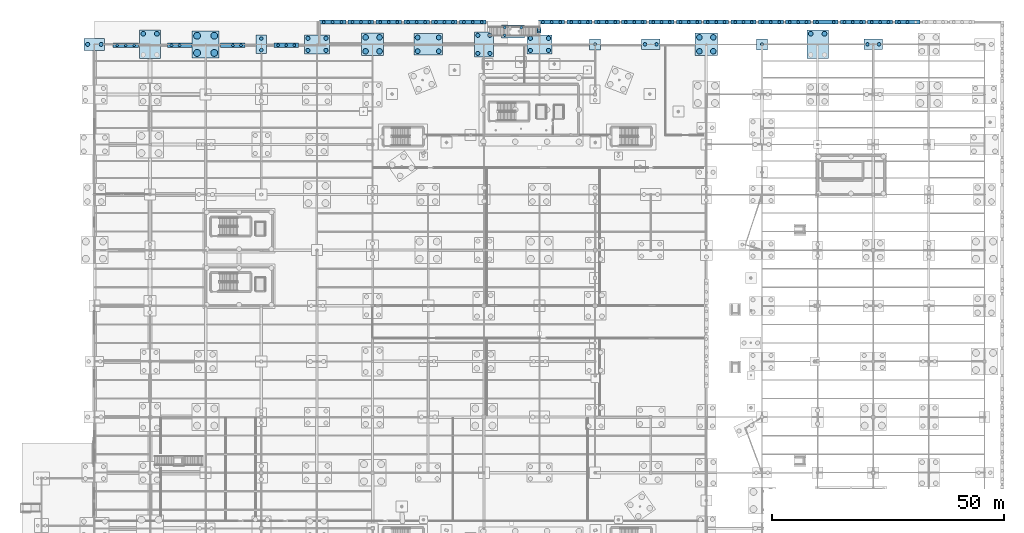
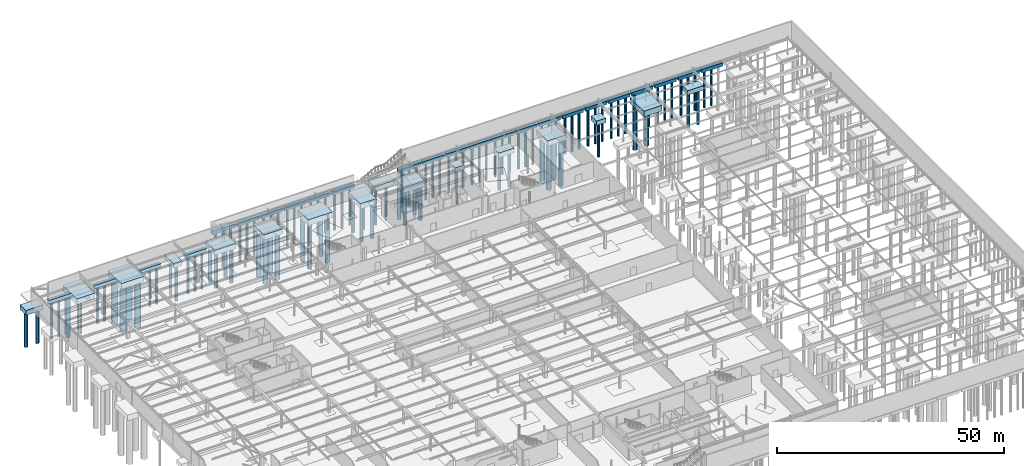
# One storey, part 9 of 136: 114 piles, 41 footings.
"""IFC4 building model written with IfcOpenShell, lengths in metres."""

import ifcopenshell
import ifcopenshell.guid

model = None  # the IFC model being written
_history = None  # IfcOwnerHistory: only IFC2X3 demands one
_inside = {}  # id of a spatial element -> (the spatial element, [elements in it])
_under = {}  # id of a project, library or spatial element -> (it, [spatial elements below it])
_declared = {}  # id of a project -> (the project, [libraries it declares])
_typed = {}  # id of a type object -> (the type object, [elements of that type])
_made_of = {}  # id of a material, layer set ... -> (it, [elements and type objects made of it])


def new_model(schema):
    """Start an empty IFC model of exactly this schema.

    Asked for "IFC4X3", IfcOpenShell would pick the latest addendum, in which some entities
    have other attributes; the version numbers below select the first issue.
    IFC2X3 requires an IfcOwnerHistory on every rooted entity: one is made here for all.
    """
    global model, _history
    if schema == "IFC4X3":
        model = ifcopenshell.file(schema_version=(4, 3, 0, 0))
    else:
        model = ifcopenshell.file(schema=schema)
    _inside.clear()
    _under.clear()
    _declared.clear()
    _typed.clear()
    _made_of.clear()
    _history = None
    if model.schema == "IFC2X3":
        org = make("IfcOrganization", Name="unknown")
        user = make(
            "IfcPersonAndOrganization",
            ThePerson=make("IfcPerson", FamilyName="unknown"),
            TheOrganization=org,
        )
        app = make(
            "IfcApplication",
            ApplicationDeveloper=org,
            Version="unknown",
            ApplicationFullName="unknown",
            ApplicationIdentifier="unknown",
        )
        _history = make(
            "IfcOwnerHistory",
            OwningUser=user,
            OwningApplication=app,
            ChangeAction="ADDED",
            CreationDate=0,
        )
    return model


def make(cls, **values):
    """One entity of the class cls with the attributes given. An attribute that is None is left unset."""
    return model.create_entity(
        cls, **{name: value for name, value in values.items() if value is not None}
    )


def rooted(cls, **values):
    """An entity with a GlobalId (a new one), such as an element, a storey or a relation."""
    return make(cls, GlobalId=ifcopenshell.guid.new(), OwnerHistory=_history, **values)


def si_unit(unit_type, name, prefix=None):
    """IfcSIUnit, for example si_unit("LENGTHUNIT", "METRE", prefix="MILLI")."""
    return make("IfcSIUnit", UnitType=unit_type, Prefix=prefix, Name=name)


def assignment(units):
    """IfcUnitAssignment: the units of a project."""
    return None if units is None else make("IfcUnitAssignment", Units=units)


def point(xyz):
    """IfcCartesianPoint."""
    return None if xyz is None else make("IfcCartesianPoint", Coordinates=xyz)


def direction(xyz):
    """IfcDirection."""
    return None if xyz is None else make("IfcDirection", DirectionRatios=xyz)


def frame(location, z_axis=None, x_axis=None):
    """IfcAxis2Placement3D, a coordinate frame: its origin and axes. An axis left out is left unset."""
    return make(
        "IfcAxis2Placement3D",
        Location=point(location),
        Axis=direction(z_axis),
        RefDirection=direction(x_axis),
    )


def frame_2d(location, x_axis=None):
    """IfcAxis2Placement2D, a coordinate frame in the plane: its origin and x axis."""
    return make(
        "IfcAxis2Placement2D", Location=point(location), RefDirection=direction(x_axis)
    )


def origin():
    """The frame at (0, 0, 0) with its axes left unset."""
    return frame((0.0, 0.0, 0.0))


def origin_2d():
    """The frame at (0, 0) in the plane with its x axis left unset."""
    return frame_2d((0.0, 0.0))


def place(relative_to, where):
    """IfcLocalPlacement: puts the frame where relative to a parent placement (None: the world)."""
    return make(
        "IfcLocalPlacement", PlacementRelTo=relative_to, RelativePlacement=where
    )


def context(
    kind, dimensions, precision=None, world=None, true_north=None, identifier=None
):
    """IfcGeometricRepresentationContext, for example the 3D "Model" context."""
    return make(
        "IfcGeometricRepresentationContext",
        ContextIdentifier=identifier,
        ContextType=kind,
        CoordinateSpaceDimension=dimensions,
        Precision=precision,
        WorldCoordinateSystem=world,
        TrueNorth=true_north,
    )


def subcontext(parent, identifier, kind, view, scale=None):
    """IfcGeometricRepresentationSubContext, for example "Body" below "Model"."""
    return make(
        "IfcGeometricRepresentationSubContext",
        ContextIdentifier=identifier,
        ContextType=kind,
        ParentContext=parent,
        TargetScale=scale,
        TargetView=view,
    )


def project(units=None, contexts=None):
    """IfcProject with its units and contexts."""
    return rooted(
        "IfcProject",
        Name="project",
        RepresentationContexts=contexts,
        UnitsInContext=assignment(units),
    )


def spatial(cls, under=None, at=None, **own):
    """A site, building, storey or space (cls), placed at a placement, below another one or the project."""
    s = rooted(cls, ObjectPlacement=at, **own)
    if under is not None:
        _under.setdefault(under.id(), (under, []))[1].append(s)
    return s


def profile(cls, at=None, kind="AREA", **sizes):
    """A parametric profile (cls). Its sizes go by their IFC names, for example OverallWidth=200.0."""
    return make(cls, ProfileType=kind, Position=at, **sizes)


def rectangle(**sizes):
    """IfcRectangleProfileDef."""
    return profile("IfcRectangleProfileDef", **sizes)


def circle(**sizes):
    """IfcCircleProfileDef."""
    return profile("IfcCircleProfileDef", **sizes)


def extrude(swept, where, along, depth):
    """IfcExtrudedAreaSolid: the profile swept, set in the frame where, extruded along a direction by depth."""
    return make(
        "IfcExtrudedAreaSolid",
        SweptArea=swept,
        Position=where,
        ExtrudedDirection=direction(along),
        Depth=depth,
    )


def shape(context_of_items, identifier, shape_type, items):
    """IfcShapeRepresentation: the items that make up one representation, for example the "Body"."""
    return make(
        "IfcShapeRepresentation",
        ContextOfItems=context_of_items,
        RepresentationIdentifier=identifier,
        RepresentationType=shape_type,
        Items=items,
    )


def material(Name=None, Category=None):
    """IfcMaterial."""
    return make("IfcMaterial", Name=Name, Category=Category)


def material_profile(
    of_material, cross_section, Name=None, Category=None, Priority=None
):
    """IfcMaterialProfile: a cross section and its material."""
    return make(
        "IfcMaterialProfile",
        Name=Name,
        Material=of_material,
        Profile=cross_section,
        Priority=Priority,
        Category=Category,
    )


def profile_set(profiles, Name=None, composite=None):
    """IfcMaterialProfileSet."""
    return make(
        "IfcMaterialProfileSet",
        Name=Name,
        MaterialProfiles=profiles,
        CompositeProfile=composite,
    )


def made_of(thing, what):
    """Note that an element or type object is made of a material, layer set ...; save() writes the relation."""
    if what is not None:
        _made_of.setdefault(what.id(), (what, []))[1].append(thing)
    return thing


def type_object(cls, material=None, **own):
    """A type object (cls), such as IfcWallType, which elements share."""
    return made_of(rooted(cls, **own), material)


def element(
    cls,
    number,
    at=None,
    inside=None,
    cuts=None,
    type_object=None,
    material=None,
    context=None,
    identifier="Body",
    shape_type=None,
    held_by="IfcProductDefinitionShape",
    body=None,
    shapes=None,
    **own,
):
    """One element of the class cls, such as IfcWall. Its Tag is "e" and its number.

    at: its placement. inside: the storey or other place that contains it. cuts: it is an
    opening in that element (IfcRelVoidsElement). A single representation is given by context,
    identifier, shape_type and body (its items); several are given by shapes. held_by: the class
    of the entity that holds the representations. save() writes the other relations.
    """
    e = rooted(cls, Tag="e%d" % number, ObjectPlacement=at, **own)
    if body is not None:
        shapes = [shape(context, identifier, shape_type, body)]
    if shapes is not None:
        e.Representation = make(held_by, Representations=shapes)
    if inside is not None:
        _inside.setdefault(inside.id(), (inside, []))[1].append(e)
    if cuts is not None:
        rooted(
            "IfcRelVoidsElement", RelatingBuildingElement=cuts, RelatedOpeningElement=e
        )
    if type_object is not None:
        _typed.setdefault(type_object.id(), (type_object, []))[1].append(e)
    return made_of(e, material)


def aggregate(whole, parts):
    """IfcRelAggregates: a whole, such as a stair, and the parts it consists of."""
    return rooted("IfcRelAggregates", RelatingObject=whole, RelatedObjects=parts)


def save(model, path):
    """Write the relations noted so far, then the file.

    IfcRelAggregates (storeys below a building ...), IfcRelContainedInSpatialStructure (elements
    in a storey), IfcRelDefinesByType, IfcRelAssociatesMaterial and IfcRelDeclares: one each for
    every whole, place, type object, material and project.
    """
    for whole, parts in _under.values():
        aggregate(whole, parts)
    for where, things in _inside.values():
        rooted(
            "IfcRelContainedInSpatialStructure",
            RelatedElements=things,
            RelatingStructure=where,
        )
    for kind, things in _typed.values():
        rooted("IfcRelDefinesByType", RelatedObjects=things, RelatingType=kind)
    for what, things in _made_of.values():
        rooted("IfcRelAssociatesMaterial", RelatedObjects=things, RelatingMaterial=what)
    for by, libraries in _declared.values():
        rooted("IfcRelDeclares", RelatingContext=by, RelatedDefinitions=libraries)
    model.write(path)


model = new_model("IFC4")

# Units and contexts
model_context = context("Model", 3, precision=1e-05, world=origin(), true_north=direction((0.0, 1.0)))
body_context = subcontext(model_context, "Body", "Model", "MODEL_VIEW")
ifc_project = project(units=[si_unit("LENGTHUNIT", "METRE"), si_unit("AREAUNIT", "SQUARE_METRE"), si_unit("VOLUMEUNIT", "CUBIC_METRE"), si_unit("PLANEANGLEUNIT", "RADIAN"), si_unit("MASSUNIT", "GRAM", prefix="KILO")], contexts=[model_context])

# Site, building, storey
site_placement = place(None, origin())
site = spatial("IfcSite", under=ifc_project, at=site_placement, CompositionType="ELEMENT")
building_placement = place(site_placement, origin())
building = spatial("IfcBuilding", under=site, at=building_placement, Name="Tarnwether General Hospital", CompositionType="ELEMENT")
storey_placement = place(building_placement, frame((0.0, 0.0, -4.800048828125)))
storey = spatial("IfcBuildingStorey", under=building, at=storey_placement, Name="LG", CompositionType="ELEMENT", Elevation=-4.800048828125)

# Footings
ifc_material_1 = material(Name="Concrete 40 MPa", Category="concrete")
footing_type_1 = type_object("IfcFootingType", Name="FT-PC1", PredefinedType="PILE_CAP", material=ifc_material_1)
for number, where, z_axis, x_axis, name in (
    (1, (108.0, 126.0, -1.19970703125), (0.0, 0.0, 1.0), (0.0, 1.0, 0.0), "Pile Cap FT-CAP-0112"),
    (2, (144.0, 126.0, -1.19970703125), (0.0, 0.0, 1.0), (1.0, 0.0, 0.0), "Pile Cap FT-CAP-0140"),
):
    element("IfcFooting", number, at=place(storey_placement, frame(where, z_axis=z_axis, x_axis=x_axis)), inside=storey, type_object=footing_type_1, Name=name, PredefinedType="PILE_CAP", context=body_context, shape_type="SweptSolid", body=[
        extrude(rectangle(XDim=2.39990234375, YDim=2.39990234375, at=origin_2d()), origin(), (0.0, 0.0, 1.0), 1.199951171875),
    ])
ifc_material_2 = material(Name="Concrete 40 MPa", Category="concrete")
footing_type_2 = type_object("IfcFootingType", Name="FT-PC11", PredefinedType="PILE_CAP", material=ifc_material_2)
footing_1_placement = place(storey_placement, frame((90.300048828125, 128.800048828125, -1.19970703125), z_axis=(0.0, 0.0, 1.0), x_axis=(1.0, 0.0, 0.0)))
element("IfcFooting", 3, at=footing_1_placement, inside=storey, type_object=footing_type_2, Name="Combined Scarp Stair Pile Cap SCRP-N", PredefinedType="PILE_CAP", context=body_context, shape_type="SweptSolid", body=[
    extrude(rectangle(XDim=5.0, YDim=2.800048828125, at=origin_2d()), origin(), (0.0, 0.0, 1.0), 1.199951171875),
])
ifc_material_3 = material(Name="Concrete 40 MPa", Category="concrete")
footing_type_3 = type_object("IfcFootingType", Name="FT-PC2", PredefinedType="PILE_CAP", material=ifc_material_3)
for number, where, z_axis, x_axis, name in (
    (4, (36.0, 126.0, -1.19970703125), (0.0, 0.0, 1.0), (0.0, 1.0, 0.0), "Pile Cap FT-CAP-0054"),
    (5, (120.0, 126.0, -1.19970703125), (0.0, 0.0, 1.0), (1.0, 0.0, 0.0), "Pile Cap FT-CAP-0118"),
    (6, (168.0, 126.0, -1.19970703125), (0.0, 0.0, 1.0), (1.0, 0.0, 0.0), "Pile Cap FT-CAP-0158"),
):
    element("IfcFooting", number, at=place(storey_placement, frame(where, z_axis=z_axis, x_axis=x_axis)), inside=storey, type_object=footing_type_3, Name=name, PredefinedType="PILE_CAP", context=body_context, shape_type="SweptSolid", body=[
        extrude(rectangle(XDim=4.0, YDim=2.199951171875, at=origin_2d()), origin(), (0.0, 0.0, 1.0), 1.199951171875),
    ])
ifc_material_4 = material(Name="Concrete 40 MPa", Category="concrete")
footing_type_4 = type_object("IfcFootingType", Name="FT-PC3", PredefinedType="PILE_CAP", material=ifc_material_4)
footing_2_placement = place(storey_placement, frame((0.0, 126.0, -1.2998046875), z_axis=(0.0, 0.0, 1.0), x_axis=(1.0, 0.0, 0.0)))
element("IfcFooting", 7, at=footing_2_placement, inside=storey, type_object=footing_type_4, Name="Pile Cap FT-CAP-0022", PredefinedType="PILE_CAP", context=body_context, shape_type="SweptSolid", body=[
    extrude(rectangle(XDim=4.39990234375, YDim=2.60009765625, at=origin_2d()), origin(), (0.0, 0.0, 1.0), 1.300048828125),
])
ifc_material_5 = material(Name="Concrete 40 MPa", Category="concrete")
footing_type_5 = type_object("IfcFootingType", Name="FT-PC4", PredefinedType="PILE_CAP", material=ifc_material_5)
for number, where, z_axis, x_axis, name in (
    (8, (60.0, 126.0, -1.39990234375), (0.0, 0.0, 1.0), (0.0, 1.0, 0.0), "Pile Cap FT-CAP-0078"),
    (9, (132.0, 126.0, -1.39990234375), (0.0, 0.0, 1.0), (0.0, 1.0, 0.0), "Pile Cap FT-CAP-0128"),
):
    element("IfcFooting", number, at=place(storey_placement, frame(where, z_axis=z_axis, x_axis=x_axis)), inside=storey, type_object=footing_type_5, Name=name, PredefinedType="PILE_CAP", context=body_context, shape_type="SweptSolid", body=[
        extrude(rectangle(XDim=4.800048828125, YDim=4.800048828125, at=origin_2d()), origin(), (0.0, 0.0, 1.0), 1.39990234375),
    ])
ifc_material_6 = material(Name="Concrete 40 MPa", Category="concrete")
footing_type_6 = type_object("IfcFootingType", Name="FT-PC5", PredefinedType="PILE_CAP", material=ifc_material_6)
footing_3_placement = place(storey_placement, frame((24.0, 126.0, -1.5), z_axis=(0.0, 0.0, 1.0), x_axis=(1.0, 0.0, 0.0)))
element("IfcFooting", 10, at=footing_3_placement, inside=storey, type_object=footing_type_6, Name="Pile Cap FT-CAP-0044", PredefinedType="PILE_CAP", context=body_context, shape_type="SweptSolid", body=[
    extrude(rectangle(XDim=5.800048828125, YDim=5.800048828125, at=origin_2d()), origin(), (0.0, 0.0, 1.0), 1.5),
])
ifc_material_7 = material(Name="Concrete 40 MPa", Category="concrete")
footing_type_7 = type_object("IfcFootingType", Name="FT-PC6", PredefinedType="PILE_CAP", material=ifc_material_7)
for number, where, z_axis, x_axis, name in (
    (11, (48.0, 126.0, -1.44970703125), (0.0, 0.0, 1.0), (1.0, 0.0, 0.0), "Pile Cap FT-CAP-0066"),
    (12, (84.0, 126.0, -1.44970703125), (0.0, 0.0, 1.0), (0.0, 1.0, 0.0), "Pile Cap FT-CAP-0094"),
    (13, (96.0, 126.0, -1.44970703125), (0.0, 0.0, 1.0), (1.0, 0.0, 0.0), "Pile Cap FT-CAP-0102"),
):
    element("IfcFooting", number, at=place(storey_placement, frame(where, z_axis=z_axis, x_axis=x_axis)), inside=storey, type_object=footing_type_7, Name=name, PredefinedType="PILE_CAP", context=body_context, shape_type="SweptSolid", body=[
        extrude(rectangle(XDim=5.39990234375, YDim=4.10009765625, at=origin_2d()), origin(), (0.0, 0.0, 1.0), 1.449951171875),
    ])
ifc_material_8 = material(Name="Concrete 40 MPa", Category="concrete")
footing_type_8 = type_object("IfcFootingType", Name="FT-PC7", PredefinedType="PILE_CAP", material=ifc_material_8)
for number, where, z_axis, x_axis, name in (
    (14, (12.0, 126.0, -1.5498046875), (0.0, 0.0, 1.0), (0.0, 1.0, 0.0), "Pile Cap FT-CAP-0034"),
    (15, (72.0, 126.0, -1.5498046875), (0.0, 0.0, 1.0), (1.0, 0.0, 0.0), "Pile Cap FT-CAP-0086"),
    (16, (156.0, 126.0, -1.5498046875), (0.0, 0.0, 1.0), (0.0, 1.0, 0.0), "Pile Cap FT-CAP-0150"),
):
    element("IfcFooting", number, at=place(storey_placement, frame(where, z_axis=z_axis, x_axis=x_axis)), inside=storey, type_object=footing_type_8, Name=name, PredefinedType="PILE_CAP", context=body_context, shape_type="SweptSolid", body=[
        extrude(rectangle(XDim=6.199951171875, YDim=4.60009765625, at=origin_2d()), origin(), (0.0, 0.0, 1.0), 1.550048828125),
    ])
ifc_material_9 = material(Name="Concrete 40 MPa", Category="concrete")
footing_type_9 = type_object("IfcFootingType", Name="FT-SF1", PredefinedType="STRIP_FOOTING", material=ifc_material_9)
footing_4_placement = place(storey_placement, frame((95.89990234375, 129.0, -0.7998046875), z_axis=(0.0, 0.0, 1.0), x_axis=(0.0, 1.0, 0.0)))
element("IfcFooting", 17, at=footing_4_placement, inside=storey, type_object=footing_type_9, Name="Step96 Retaining Footing S96N", PredefinedType="STRIP_FOOTING", context=body_context, shape_type="SweptSolid", body=[
    extrude(rectangle(XDim=1.199951171875, YDim=0.800048828125, at=origin_2d()), origin(), (0.0, 0.0, 1.0), 0.800048828125),
])
ifc_material_10 = material(Name="Concrete 40 MPa", Category="concrete")
footing_type_10 = type_object("IfcFootingType", Name="FT-SF2", PredefinedType="STRIP_FOOTING", material=ifc_material_10)
footing_5_placement = place(storey_placement, frame((6.75, 125.800048828125, -0.89990234375), z_axis=(0.0, 0.0, 1.0), x_axis=(1.0, 0.0, 0.0)))
element("IfcFooting", 18, at=footing_5_placement, inside=storey, type_object=footing_type_10, Name="Retaining Strip Footing FT-SF-0053", PredefinedType="STRIP_FOOTING", context=body_context, shape_type="SweptSolid", body=[
    extrude(rectangle(XDim=5.5, YDim=0.89990234375, at=origin_2d()), origin(), (0.0, 0.0, 1.0), 0.89990234375),
])
for number, where, z_axis, x_axis, name in (
    (19, (18.375, 125.800048828125, -0.89990234375), (0.0, 0.0, 1.0), (1.0, 0.0, 0.0), "Retaining Strip Footing FT-SF-0054"),
    (20, (29.875, 125.800048828125, -0.89990234375), (0.0, 0.0, 1.0), (1.0, 0.0, 0.0), "Retaining Strip Footing FT-SF-0055"),
    (21, (41.375, 125.800048828125, -0.89990234375), (0.0, 0.0, 1.0), (1.0, 0.0, 0.0), "Retaining Strip Footing FT-SF-0056"),
):
    element("IfcFooting", number, at=place(storey_placement, frame(where, z_axis=z_axis, x_axis=x_axis)), inside=storey, type_object=footing_type_10, Name=name, PredefinedType="STRIP_FOOTING", context=body_context, shape_type="SweptSolid", body=[
        extrude(rectangle(XDim=5.25, YDim=0.89990234375, at=origin_2d()), origin(), (0.0, 0.0, 1.0), 0.89990234375),
    ])
for number, where, z_axis, x_axis, name in (
    (22, (175.37109375, 130.800048828125, -0.89990234375), (0.0, 0.0, 1.0), (-1.0, 0.0, 0.0), "Retaining Strip Footing FT-SF-0084"),
    (23, (169.47607421875, 130.800048828125, -0.89990234375), (0.0, 0.0, 1.0), (-1.0, 0.0, 0.0), "Retaining Strip Footing FT-SF-0085"),
    (24, (163.58203125, 130.800048828125, -0.89990234375), (0.0, 0.0, 1.0), (-1.0, 0.0, 0.0), "Retaining Strip Footing FT-SF-0086"),
    (25, (157.68798828125, 130.800048828125, -0.89990234375), (0.0, 0.0, 1.0), (-1.0, 0.0, 0.0), "Retaining Strip Footing FT-SF-0087"),
    (26, (151.7939453125, 130.800048828125, -0.89990234375), (0.0, 0.0, 1.0), (-1.0, 0.0, 0.0), "Retaining Strip Footing FT-SF-0088"),
    (27, (145.89990234375, 130.800048828125, -0.89990234375), (0.0, 0.0, 1.0), (-1.0, 0.0, 0.0), "Retaining Strip Footing FT-SF-0089"),
    (28, (140.006103515625, 130.800048828125, -0.89990234375), (0.0, 0.0, 1.0), (-1.0, 0.0, 0.0), "Retaining Strip Footing FT-SF-0090"),
    (29, (134.112060546875, 130.800048828125, -0.89990234375), (0.0, 0.0, 1.0), (-1.0, 0.0, 0.0), "Retaining Strip Footing FT-SF-0091"),
    (30, (128.218017578125, 130.800048828125, -0.89990234375), (0.0, 0.0, 1.0), (-1.0, 0.0, 0.0), "Retaining Strip Footing FT-SF-0092"),
    (31, (122.323974609375, 130.800048828125, -0.89990234375), (0.0, 0.0, 1.0), (-1.0, 0.0, 0.0), "Retaining Strip Footing FT-SF-0093"),
    (32, (116.428955078125, 130.800048828125, -0.89990234375), (0.0, 0.0, 1.0), (-1.0, 0.0, 0.0), "Retaining Strip Footing FT-SF-0094"),
    (33, (110.534912109375, 130.800048828125, -0.89990234375), (0.0, 0.0, 1.0), (-1.0, 0.0, 0.0), "Retaining Strip Footing FT-SF-0095"),
    (34, (104.64111328125, 130.800048828125, -0.89990234375), (0.0, 0.0, 1.0), (-1.0, 0.0, 0.0), "Retaining Strip Footing FT-SF-0096"),
):
    element("IfcFooting", number, at=place(storey_placement, frame(where, z_axis=z_axis, x_axis=x_axis)), inside=storey, type_object=footing_type_10, Name=name, PredefinedType="STRIP_FOOTING", context=body_context, shape_type="SweptSolid", body=[
        extrude(rectangle(XDim=5.39404296875, YDim=0.89990234375, at=origin_2d()), origin(), (0.0, 0.0, 1.0), 0.89990234375),
    ])
footing_6_placement = place(storey_placement, frame((98.6220703125, 130.800048828125, -0.89990234375), z_axis=(0.0, 0.0, 1.0), x_axis=(-1.0, 0.0, 0.0)))
element("IfcFooting", 35, at=footing_6_placement, inside=storey, type_object=footing_type_10, Name="Retaining Strip Footing FT-SF-0097", PredefinedType="STRIP_FOOTING", context=body_context, shape_type="SweptSolid", body=[
    extrude(rectangle(XDim=5.64404296875, YDim=0.89990234375, at=origin_2d()), origin(), (0.0, 0.0, 1.0), 0.89990234375),
])
footing_7_placement = place(storey_placement, frame((81.625, 130.800048828125, -0.89990234375), z_axis=(0.0, 0.0, 1.0), x_axis=(-1.0, 0.0, 0.0)))
element("IfcFooting", 36, at=footing_7_placement, inside=storey, type_object=footing_type_10, Name="Retaining Strip Footing FT-SF-0114", PredefinedType="STRIP_FOOTING", context=body_context, shape_type="SweptSolid", body=[
    extrude(rectangle(XDim=5.75, YDim=0.89990234375, at=origin_2d()), origin(), (0.0, 0.0, 1.0), 0.89990234375),
])
for number, where, z_axis, x_axis, name in (
    (37, (75.5, 130.800048828125, -0.89990234375), (0.0, 0.0, 1.0), (-1.0, 0.0, 0.0), "Retaining Strip Footing FT-SF-0115"),
    (38, (69.5, 130.800048828125, -0.89990234375), (0.0, 0.0, 1.0), (-1.0, 0.0, 0.0), "Retaining Strip Footing FT-SF-0116"),
    (39, (63.5, 130.800048828125, -0.89990234375), (0.0, 0.0, 1.0), (-1.0, 0.0, 0.0), "Retaining Strip Footing FT-SF-0117"),
    (40, (57.5, 130.800048828125, -0.89990234375), (0.0, 0.0, 1.0), (-1.0, 0.0, 0.0), "Retaining Strip Footing FT-SF-0118"),
):
    element("IfcFooting", number, at=place(storey_placement, frame(where, z_axis=z_axis, x_axis=x_axis)), inside=storey, type_object=footing_type_10, Name=name, PredefinedType="STRIP_FOOTING", context=body_context, shape_type="SweptSolid", body=[
        extrude(rectangle(XDim=5.5, YDim=0.89990234375, at=origin_2d()), origin(), (0.0, 0.0, 1.0), 0.89990234375),
    ])
footing_8_placement = place(storey_placement, frame((51.375, 130.800048828125, -0.89990234375), z_axis=(0.0, 0.0, 1.0), x_axis=(-1.0, 0.0, 0.0)))
element("IfcFooting", 41, at=footing_8_placement, inside=storey, type_object=footing_type_10, Name="Retaining Strip Footing FT-SF-0119", PredefinedType="STRIP_FOOTING", context=body_context, shape_type="SweptSolid", body=[
    extrude(rectangle(XDim=5.75, YDim=0.89990234375, at=origin_2d()), origin(), (0.0, 0.0, 1.0), 0.89990234375),
])

# Piles
ifc_material_11 = material(Name="Concrete 40 MPa", Category="concrete")
ifc_material_profile_1 = material_profile(ifc_material_11, circle(Radius=0.52490234375, at=origin_2d()), Name="PILE-D1050")
ifc_profile_set_1 = profile_set([ifc_material_profile_1], Name="Concrete 40 MPa")
pile_type_1 = type_object("IfcPileType", Name="PL-1050", PredefinedType="BORED", material=ifc_profile_set_1)
for number, where, z_axis, x_axis, name in (
    (42, (13.47509765625, 128.27490234375, -1.449951171875), (0.0, 0.0, -1.0), (1.0, 0.0, 0.0), "Bored Pile PLG-LG-135_1283-0134"),
    (43, (10.52490234375, 128.27490234375, -1.449951171875), (0.0, 0.0, -1.0), (1.0, 0.0, 0.0), "Bored Pile PLG-LG-105_1283-0135"),
    (44, (69.72509765625, 124.52490234375, -1.449951171875), (0.0, 0.0, -1.0), (1.0, 0.0, 0.0), "Bored Pile PLG-LG-697_1245-0281"),
    (45, (69.72509765625, 127.47509765625, -1.449951171875), (0.0, 0.0, -1.0), (1.0, 0.0, 0.0), "Bored Pile PLG-LG-697_1275-0282"),
    (46, (74.27490234375, 124.52490234375, -1.449951171875), (0.0, 0.0, -1.0), (1.0, 0.0, 0.0), "Bored Pile PLG-LG-743_1245-0283"),
    (47, (74.27490234375, 127.47509765625, -1.449951171875), (0.0, 0.0, -1.0), (1.0, 0.0, 0.0), "Bored Pile PLG-LG-743_1275-0284"),
    (48, (157.47509765625, 128.27490234375, -1.449951171875), (0.0, 0.0, -1.0), (1.0, 0.0, 0.0), "Bored Pile PLG-LG-1575_1283-0466"),
    (49, (154.52490234375, 128.27490234375, -1.449951171875), (0.0, 0.0, -1.0), (1.0, 0.0, 0.0), "Bored Pile PLG-LG-1545_1283-0467"),
):
    element("IfcPile", number, at=place(storey_placement, frame(where, z_axis=z_axis, x_axis=x_axis)), inside=storey, type_object=pile_type_1, Name=name, PredefinedType="BORED", context=body_context, shape_type="SweptSolid", body=[
        extrude(circle(Radius=0.52490234375, at=origin_2d()), origin(), (0.0, 0.0, 1.0), 12.25),
    ])
ifc_material_12 = material(Name="Concrete 40 MPa", Category="concrete")
ifc_material_profile_2 = material_profile(ifc_material_12, circle(Radius=0.60009765625, at=origin_2d()), Name="PILE-D1200")
ifc_profile_set_2 = profile_set([ifc_material_profile_2], Name="Concrete 40 MPa")
pile_type_2 = type_object("IfcPileType", Name="PL-1200", PredefinedType="BORED", material=ifc_profile_set_2)
for number, where, z_axis, x_axis, name in (
    (50, (61.5, 124.5, -1.300048828125), (0.0, 0.0, -1.0), (1.0, 0.0, 0.0), "Bored Pile PLG-LG-615_1245-0256"),
    (51, (58.5, 124.5, -1.300048828125), (0.0, 0.0, -1.0), (1.0, 0.0, 0.0), "Bored Pile PLG-LG-585_1245-0257"),
    (52, (61.5, 127.5, -1.300048828125), (0.0, 0.0, -1.0), (1.0, 0.0, 0.0), "Bored Pile PLG-LG-615_1275-0258"),
    (53, (58.5, 127.5, -1.300048828125), (0.0, 0.0, -1.0), (1.0, 0.0, 0.0), "Bored Pile PLG-LG-585_1275-0259"),
    (54, (133.5, 124.5, -1.300048828125), (0.0, 0.0, -1.0), (1.0, 0.0, 0.0), "Bored Pile PLG-LG-1335_1245-0409"),
    (55, (130.5, 124.5, -1.300048828125), (0.0, 0.0, -1.0), (1.0, 0.0, 0.0), "Bored Pile PLG-LG-1305_1245-0410"),
    (56, (133.5, 127.5, -1.300048828125), (0.0, 0.0, -1.0), (1.0, 0.0, 0.0), "Bored Pile PLG-LG-1335_1275-0411"),
    (57, (130.5, 127.5, -1.300048828125), (0.0, 0.0, -1.0), (1.0, 0.0, 0.0), "Bored Pile PLG-LG-1305_1275-0412"),
):
    element("IfcPile", number, at=place(storey_placement, frame(where, z_axis=z_axis, x_axis=x_axis)), inside=storey, type_object=pile_type_2, Name=name, PredefinedType="BORED", context=body_context, shape_type="SweptSolid", body=[
        extrude(circle(Radius=0.60009765625, at=origin_2d()), origin(), (0.0, 0.0, 1.0), 12.39990234375),
    ])
ifc_material_13 = material(Name="Concrete 40 MPa", Category="concrete")
ifc_material_profile_3 = material_profile(ifc_material_13, circle(Radius=0.75, at=origin_2d()), Name="PILE-D1500")
ifc_profile_set_3 = profile_set([ifc_material_profile_3], Name="Concrete 40 MPa")
pile_type_3 = type_object("IfcPileType", Name="PL-1500", PredefinedType="BORED", material=ifc_profile_set_3)
for number, where, z_axis, x_axis, name in (
    (58, (22.14990234375, 124.14990234375, -1.39990234375), (0.0, 0.0, -1.0), (1.0, 0.0, 0.0), "Bored Pile PLG-LG-222_1242-0158"),
    (59, (22.14990234375, 127.85009765625, -1.39990234375), (0.0, 0.0, -1.0), (1.0, 0.0, 0.0), "Bored Pile PLG-LG-222_1278-0159"),
    (60, (25.85009765625, 124.14990234375, -1.39990234375), (0.0, 0.0, -1.0), (1.0, 0.0, 0.0), "Bored Pile PLG-LG-258_1242-0160"),
    (61, (25.85009765625, 127.85009765625, -1.39990234375), (0.0, 0.0, -1.0), (1.0, 0.0, 0.0), "Bored Pile PLG-LG-258_1278-0161"),
):
    element("IfcPile", number, at=place(storey_placement, frame(where, z_axis=z_axis, x_axis=x_axis)), inside=storey, type_object=pile_type_3, Name=name, PredefinedType="BORED", context=body_context, shape_type="SweptSolid", body=[
        extrude(circle(Radius=0.75, at=origin_2d()), origin(), (0.0, 0.0, 1.0), 12.300048828125),
    ])
ifc_material_14 = material(Name="Concrete 40 MPa", Category="concrete")
ifc_material_profile_4 = material_profile(ifc_material_14, circle(Radius=0.300048828125, at=origin_2d()), Name="PILE-D600")
ifc_profile_set_4 = profile_set([ifc_material_profile_4], Name="Concrete 40 MPa")
pile_type_4 = type_object("IfcPileType", Name="PL-600", PredefinedType="BORED", material=ifc_profile_set_4)
for number, where, z_axis, x_axis, name in (
    (62, (108.0, 126.0, -1.099853515625), (0.0, 0.0, -1.0), (1.0, 0.0, 0.0), "Bored Pile PLG-LG-1080_1260-0362"),
    (63, (144.0, 126.0, -1.099853515625), (0.0, 0.0, -1.0), (1.0, 0.0, 0.0), "Bored Pile PLG-LG-1440_1260-0446"),
    (64, (88.5, 127.97998046875, -1.099853515625), (0.0, 0.0, -1.0), (1.0, 0.0, 0.0), "Bored Pile 0658"),
    (65, (88.5, 129.6201171875, -1.099853515625), (0.0, 0.0, -1.0), (1.0, 0.0, 0.0), "Bored Pile 0659"),
    (66, (92.10009765625, 129.6201171875, -1.099853515625), (0.0, 0.0, -1.0), (1.0, 0.0, 0.0), "Bored Pile 0660"),
):
    element("IfcPile", number, at=place(storey_placement, frame(where, z_axis=z_axis, x_axis=x_axis)), inside=storey, type_object=pile_type_4, Name=name, PredefinedType="BORED", context=body_context, shape_type="SweptSolid", body=[
        extrude(circle(Radius=0.300048828125, at=origin_2d()), origin(), (0.0, 0.0, 1.0), 9.60009765625),
    ])
for number, where, z_axis, x_axis, name in (
    (67, (4.9169921875, 125.800048828125, -0.800048828125), (0.0, 0.0, -1.0), (1.0, 0.0, 0.0), "Bored Pile PLG-LG-49_1258-0673"),
    (68, (6.75, 125.800048828125, -0.800048828125), (0.0, 0.0, -1.0), (1.0, 0.0, 0.0), "Bored Pile PLG-LG-68_1258-0674"),
    (69, (8.5830078125, 125.800048828125, -0.800048828125), (0.0, 0.0, -1.0), (1.0, 0.0, 0.0), "Bored Pile PLG-LG-86_1258-0675"),
    (70, (16.625, 125.800048828125, -0.800048828125), (0.0, 0.0, -1.0), (1.0, 0.0, 0.0), "Bored Pile PLG-LG-166_1258-0676"),
    (71, (18.375, 125.800048828125, -0.800048828125), (0.0, 0.0, -1.0), (1.0, 0.0, 0.0), "Bored Pile PLG-LG-184_1258-0677"),
    (72, (29.875, 125.800048828125, -0.800048828125), (0.0, 0.0, -1.0), (1.0, 0.0, 0.0), "Bored Pile PLG-LG-299_1258-0678"),
    (73, (31.625, 125.800048828125, -0.800048828125), (0.0, 0.0, -1.0), (1.0, 0.0, 0.0), "Bored Pile PLG-LG-316_1258-0679"),
    (74, (39.625, 125.800048828125, -0.800048828125), (0.0, 0.0, -1.0), (1.0, 0.0, 0.0), "Bored Pile PLG-LG-396_1258-0680"),
    (75, (41.375, 125.800048828125, -0.800048828125), (0.0, 0.0, -1.0), (1.0, 0.0, 0.0), "Bored Pile PLG-LG-414_1258-0681"),
    (76, (43.125, 125.800048828125, -0.800048828125), (0.0, 0.0, -1.0), (1.0, 0.0, 0.0), "Bored Pile PLG-LG-431_1258-0682"),
    (77, (175.37109375, 130.800048828125, -0.800048828125), (0.0, 0.0, -1.0), (1.0, 0.0, 0.0), "Bored Pile PLG-LG-1754_1308-0736"),
    (78, (173.572998046875, 130.800048828125, -0.800048828125), (0.0, 0.0, -1.0), (1.0, 0.0, 0.0), "Bored Pile PLG-LG-1736_1308-0737"),
    (79, (171.27490234375, 130.800048828125, -0.800048828125), (0.0, 0.0, -1.0), (1.0, 0.0, 0.0), "Bored Pile PLG-LG-1713_1308-0738"),
    (80, (169.47607421875, 130.800048828125, -0.800048828125), (0.0, 0.0, -1.0), (1.0, 0.0, 0.0), "Bored Pile PLG-LG-1695_1308-0739"),
    (81, (167.677978515625, 130.800048828125, -0.800048828125), (0.0, 0.0, -1.0), (1.0, 0.0, 0.0), "Bored Pile PLG-LG-1677_1308-0740"),
    (82, (165.3798828125, 130.800048828125, -0.800048828125), (0.0, 0.0, -1.0), (1.0, 0.0, 0.0), "Bored Pile PLG-LG-1654_1308-0741"),
    (83, (163.58203125, 130.800048828125, -0.800048828125), (0.0, 0.0, -1.0), (1.0, 0.0, 0.0), "Bored Pile PLG-LG-1636_1308-0742"),
    (84, (161.783935546875, 130.800048828125, -0.800048828125), (0.0, 0.0, -1.0), (1.0, 0.0, 0.0), "Bored Pile PLG-LG-1618_1308-0743"),
    (85, (159.486083984375, 130.800048828125, -0.800048828125), (0.0, 0.0, -1.0), (1.0, 0.0, 0.0), "Bored Pile PLG-LG-1595_1308-0744"),
    (86, (155.889892578125, 130.800048828125, -0.800048828125), (0.0, 0.0, -1.0), (1.0, 0.0, 0.0), "Bored Pile PLG-LG-1559_1308-0745"),
    (87, (153.592041015625, 130.800048828125, -0.800048828125), (0.0, 0.0, -1.0), (1.0, 0.0, 0.0), "Bored Pile PLG-LG-1536_1308-0746"),
    (88, (151.7939453125, 130.800048828125, -0.800048828125), (0.0, 0.0, -1.0), (1.0, 0.0, 0.0), "Bored Pile PLG-LG-1518_1308-0747"),
    (89, (149.99609375, 130.800048828125, -0.800048828125), (0.0, 0.0, -1.0), (1.0, 0.0, 0.0), "Bored Pile PLG-LG-1500_1308-0748"),
    (90, (147.697998046875, 130.800048828125, -0.800048828125), (0.0, 0.0, -1.0), (1.0, 0.0, 0.0), "Bored Pile PLG-LG-1477_1308-0749"),
    (91, (145.89990234375, 130.800048828125, -0.800048828125), (0.0, 0.0, -1.0), (1.0, 0.0, 0.0), "Bored Pile PLG-LG-1459_1308-0750"),
    (92, (144.10205078125, 130.800048828125, -0.800048828125), (0.0, 0.0, -1.0), (1.0, 0.0, 0.0), "Bored Pile PLG-LG-1441_1308-0751"),
    (93, (141.803955078125, 130.800048828125, -0.800048828125), (0.0, 0.0, -1.0), (1.0, 0.0, 0.0), "Bored Pile PLG-LG-1418_1308-0752"),
    (94, (140.006103515625, 130.800048828125, -0.800048828125), (0.0, 0.0, -1.0), (1.0, 0.0, 0.0), "Bored Pile PLG-LG-1400_1308-0753"),
    (95, (138.2080078125, 130.800048828125, -0.800048828125), (0.0, 0.0, -1.0), (1.0, 0.0, 0.0), "Bored Pile PLG-LG-1382_1308-0754"),
    (96, (135.909912109375, 130.800048828125, -0.800048828125), (0.0, 0.0, -1.0), (1.0, 0.0, 0.0), "Bored Pile PLG-LG-1359_1308-0755"),
    (97, (134.112060546875, 130.800048828125, -0.800048828125), (0.0, 0.0, -1.0), (1.0, 0.0, 0.0), "Bored Pile PLG-LG-1341_1308-0756"),
    (98, (132.31396484375, 130.800048828125, -0.800048828125), (0.0, 0.0, -1.0), (1.0, 0.0, 0.0), "Bored Pile PLG-LG-1323_1308-0757"),
    (99, (130.01611328125, 130.800048828125, -0.800048828125), (0.0, 0.0, -1.0), (1.0, 0.0, 0.0), "Bored Pile PLG-LG-1300_1308-0758"),
    (100, (128.218017578125, 130.800048828125, -0.800048828125), (0.0, 0.0, -1.0), (1.0, 0.0, 0.0), "Bored Pile PLG-LG-1282_1308-0759"),
    (101, (126.419921875, 130.800048828125, -0.800048828125), (0.0, 0.0, -1.0), (1.0, 0.0, 0.0), "Bored Pile PLG-LG-1264_1308-0760"),
    (102, (124.1220703125, 130.800048828125, -0.800048828125), (0.0, 0.0, -1.0), (1.0, 0.0, 0.0), "Bored Pile PLG-LG-1241_1308-0761"),
    (103, (122.323974609375, 130.800048828125, -0.800048828125), (0.0, 0.0, -1.0), (1.0, 0.0, 0.0), "Bored Pile PLG-LG-1223_1308-0762"),
    (104, (120.52490234375, 130.800048828125, -0.800048828125), (0.0, 0.0, -1.0), (1.0, 0.0, 0.0), "Bored Pile PLG-LG-1205_1308-0763"),
    (105, (118.22705078125, 130.800048828125, -0.800048828125), (0.0, 0.0, -1.0), (1.0, 0.0, 0.0), "Bored Pile PLG-LG-1182_1308-0764"),
    (106, (116.428955078125, 130.800048828125, -0.800048828125), (0.0, 0.0, -1.0), (1.0, 0.0, 0.0), "Bored Pile PLG-LG-1164_1308-0765"),
    (107, (114.631103515625, 130.800048828125, -0.800048828125), (0.0, 0.0, -1.0), (1.0, 0.0, 0.0), "Bored Pile PLG-LG-1146_1308-0766"),
    (108, (112.3330078125, 130.800048828125, -0.800048828125), (0.0, 0.0, -1.0), (1.0, 0.0, 0.0), "Bored Pile PLG-LG-1123_1308-0767"),
    (109, (110.534912109375, 130.800048828125, -0.800048828125), (0.0, 0.0, -1.0), (1.0, 0.0, 0.0), "Bored Pile PLG-LG-1105_1308-0768"),
    (110, (108.737060546875, 130.800048828125, -0.800048828125), (0.0, 0.0, -1.0), (1.0, 0.0, 0.0), "Bored Pile PLG-LG-1087_1308-0769"),
    (111, (106.43896484375, 130.800048828125, -0.800048828125), (0.0, 0.0, -1.0), (1.0, 0.0, 0.0), "Bored Pile PLG-LG-1064_1308-0770"),
    (112, (104.64111328125, 130.800048828125, -0.800048828125), (0.0, 0.0, -1.0), (1.0, 0.0, 0.0), "Bored Pile PLG-LG-1046_1308-0771"),
    (113, (102.843017578125, 130.800048828125, -0.800048828125), (0.0, 0.0, -1.0), (1.0, 0.0, 0.0), "Bored Pile PLG-LG-1028_1308-0772"),
    (114, (100.5029296875, 130.800048828125, -0.800048828125), (0.0, 0.0, -1.0), (1.0, 0.0, 0.0), "Bored Pile PLG-LG-1005_1308-0773"),
    (115, (98.6220703125, 130.800048828125, -0.800048828125), (0.0, 0.0, -1.0), (1.0, 0.0, 0.0), "Bored Pile PLG-LG-986_1308-0774"),
    (116, (96.740966796875, 130.800048828125, -0.800048828125), (0.0, 0.0, -1.0), (1.0, 0.0, 0.0), "Bored Pile PLG-LG-967_1308-0775"),
    (117, (83.5419921875, 130.800048828125, -0.800048828125), (0.0, 0.0, -1.0), (1.0, 0.0, 0.0), "Bored Pile PLG-LG-835_1308-0811"),
    (118, (81.625, 130.800048828125, -0.800048828125), (0.0, 0.0, -1.0), (1.0, 0.0, 0.0), "Bored Pile PLG-LG-816_1308-0812"),
    (119, (79.7080078125, 130.800048828125, -0.800048828125), (0.0, 0.0, -1.0), (1.0, 0.0, 0.0), "Bored Pile PLG-LG-797_1308-0813"),
    (120, (77.3330078125, 130.800048828125, -0.800048828125), (0.0, 0.0, -1.0), (1.0, 0.0, 0.0), "Bored Pile PLG-LG-773_1308-0814"),
    (121, (75.5, 130.800048828125, -0.800048828125), (0.0, 0.0, -1.0), (1.0, 0.0, 0.0), "Bored Pile PLG-LG-755_1308-0815"),
    (122, (73.6669921875, 130.800048828125, -0.800048828125), (0.0, 0.0, -1.0), (1.0, 0.0, 0.0), "Bored Pile PLG-LG-737_1308-0816"),
    (123, (71.3330078125, 130.800048828125, -0.800048828125), (0.0, 0.0, -1.0), (1.0, 0.0, 0.0), "Bored Pile PLG-LG-713_1308-0817"),
    (124, (69.5, 130.800048828125, -0.800048828125), (0.0, 0.0, -1.0), (1.0, 0.0, 0.0), "Bored Pile PLG-LG-695_1308-0818"),
    (125, (67.6669921875, 130.800048828125, -0.800048828125), (0.0, 0.0, -1.0), (1.0, 0.0, 0.0), "Bored Pile PLG-LG-677_1308-0819"),
    (126, (65.3330078125, 130.800048828125, -0.800048828125), (0.0, 0.0, -1.0), (1.0, 0.0, 0.0), "Bored Pile PLG-LG-653_1308-0820"),
    (127, (63.5, 130.800048828125, -0.800048828125), (0.0, 0.0, -1.0), (1.0, 0.0, 0.0), "Bored Pile PLG-LG-635_1308-0821"),
    (128, (61.6669921875, 130.800048828125, -0.800048828125), (0.0, 0.0, -1.0), (1.0, 0.0, 0.0), "Bored Pile PLG-LG-617_1308-0822"),
    (129, (59.3330078125, 130.800048828125, -0.800048828125), (0.0, 0.0, -1.0), (1.0, 0.0, 0.0), "Bored Pile PLG-LG-593_1308-0823"),
    (130, (57.5, 130.800048828125, -0.800048828125), (0.0, 0.0, -1.0), (1.0, 0.0, 0.0), "Bored Pile PLG-LG-575_1308-0824"),
    (131, (55.6669921875, 130.800048828125, -0.800048828125), (0.0, 0.0, -1.0), (1.0, 0.0, 0.0), "Bored Pile PLG-LG-557_1308-0825"),
    (132, (53.2919921875, 130.800048828125, -0.800048828125), (0.0, 0.0, -1.0), (1.0, 0.0, 0.0), "Bored Pile PLG-LG-533_1308-0826"),
    (133, (51.375, 130.800048828125, -0.800048828125), (0.0, 0.0, -1.0), (1.0, 0.0, 0.0), "Bored Pile PLG-LG-514_1308-0827"),
    (134, (49.4580078125, 130.800048828125, -0.800048828125), (0.0, 0.0, -1.0), (1.0, 0.0, 0.0), "Bored Pile PLG-LG-495_1308-0828"),
):
    element("IfcPile", number, at=place(storey_placement, frame(where, z_axis=z_axis, x_axis=x_axis)), inside=storey, type_object=pile_type_4, Name=name, PredefinedType="BORED", context=body_context, shape_type="SweptSolid", body=[
        extrude(circle(Radius=0.300048828125, at=origin_2d()), origin(), (0.0, 0.0, 1.0), 9.89990234375),
    ])
pile_placement = place(storey_placement, frame((95.89990234375, 129.0, -0.699951171875), z_axis=(0.0, 0.0, -1.0), x_axis=(1.0, 0.0, 0.0)))
element("IfcPile", 135, at=pile_placement, inside=storey, type_object=pile_type_4, Name="Bored Pile 0844", PredefinedType="BORED", context=body_context, shape_type="SweptSolid", body=[
    extrude(circle(Radius=0.300048828125, at=origin_2d()), origin(), (0.0, 0.0, 1.0), 10.0),
])
ifc_material_15 = material(Name="Concrete 40 MPa", Category="concrete")
ifc_material_profile_5 = material_profile(ifc_material_15, circle(Radius=0.375, at=origin_2d()), Name="PILE-D750")
ifc_profile_set_5 = profile_set([ifc_material_profile_5], Name="Concrete 40 MPa")
pile_type_5 = type_object("IfcPileType", Name="PL-750", PredefinedType="BORED", material=ifc_profile_set_5)
for number, where, z_axis, x_axis, name in (
    (136, (36.0, 124.75, -1.099853515625), (0.0, 0.0, -1.0), (1.0, 0.0, 0.0), "Bored Pile PLG-LG-360_1248-0186"),
    (137, (36.0, 127.25, -1.099853515625), (0.0, 0.0, -1.0), (1.0, 0.0, 0.0), "Bored Pile PLG-LG-360_1272-0187"),
    (138, (118.75, 126.0, -1.099853515625), (0.0, 0.0, -1.0), (1.0, 0.0, 0.0), "Bored Pile PLG-LG-1188_1260-0381"),
    (139, (121.25, 126.0, -1.099853515625), (0.0, 0.0, -1.0), (1.0, 0.0, 0.0), "Bored Pile PLG-LG-1212_1260-0382"),
    (140, (166.75, 126.0, -1.099853515625), (0.0, 0.0, -1.0), (1.0, 0.0, 0.0), "Bored Pile PLG-LG-1668_1260-0486"),
    (141, (169.25, 126.0, -1.099853515625), (0.0, 0.0, -1.0), (1.0, 0.0, 0.0), "Bored Pile PLG-LG-1692_1260-0487"),
):
    element("IfcPile", number, at=place(storey_placement, frame(where, z_axis=z_axis, x_axis=x_axis)), inside=storey, type_object=pile_type_5, Name=name, PredefinedType="BORED", context=body_context, shape_type="SweptSolid", body=[
        extrude(circle(Radius=0.375, at=origin_2d()), origin(), (0.0, 0.0, 1.0), 9.60009765625),
    ])
ifc_material_16 = material(Name="Concrete 40 MPa", Category="concrete")
ifc_material_profile_6 = material_profile(ifc_material_16, circle(Radius=0.449951171875, at=origin_2d()), Name="PILE-D900")
ifc_profile_set_6 = profile_set([ifc_material_profile_6], Name="Concrete 40 MPa")
pile_type_6 = type_object("IfcPileType", Name="PL-900", PredefinedType="BORED", material=ifc_profile_set_6)
for number, where, z_axis, x_axis, name in (
    (142, (-1.449951171875, 126.0, -1.199951171875), (0.0, 0.0, -1.0), (1.0, 0.0, 0.0), "Bored Pile PLG-LG--14_1260-0098"),
    (143, (1.449951171875, 126.0, -1.199951171875), (0.0, 0.0, -1.0), (1.0, 0.0, 0.0), "Bored Pile PLG-LG-14_1260-0099"),
):
    element("IfcPile", number, at=place(storey_placement, frame(where, z_axis=z_axis, x_axis=x_axis)), inside=storey, type_object=pile_type_6, Name=name, PredefinedType="BORED", context=body_context, shape_type="SweptSolid", body=[
        extrude(circle(Radius=0.449951171875, at=origin_2d()), origin(), (0.0, 0.0, 1.0), 9.5),
    ])
for number, where, z_axis, x_axis, name in (
    (144, (46.050048828125, 124.699951171875, -1.349853515625), (0.0, 0.0, -1.0), (1.0, 0.0, 0.0), "Bored Pile PLG-LG-460_1247-0222"),
    (145, (46.050048828125, 127.300048828125, -1.349853515625), (0.0, 0.0, -1.0), (1.0, 0.0, 0.0), "Bored Pile PLG-LG-460_1273-0223"),
    (146, (49.949951171875, 124.699951171875, -1.349853515625), (0.0, 0.0, -1.0), (1.0, 0.0, 0.0), "Bored Pile PLG-LG-500_1247-0224"),
    (147, (49.949951171875, 127.300048828125, -1.349853515625), (0.0, 0.0, -1.0), (1.0, 0.0, 0.0), "Bored Pile PLG-LG-500_1273-0225"),
    (148, (85.300048828125, 124.050048828125, -1.349853515625), (0.0, 0.0, -1.0), (1.0, 0.0, 0.0), "Bored Pile PLG-LG-853_1240-0308"),
    (149, (82.699951171875, 124.050048828125, -1.349853515625), (0.0, 0.0, -1.0), (1.0, 0.0, 0.0), "Bored Pile PLG-LG-827_1240-0309"),
    (150, (85.300048828125, 127.949951171875, -1.349853515625), (0.0, 0.0, -1.0), (1.0, 0.0, 0.0), "Bored Pile PLG-LG-853_1280-0310"),
    (151, (82.699951171875, 127.949951171875, -1.349853515625), (0.0, 0.0, -1.0), (1.0, 0.0, 0.0), "Bored Pile PLG-LG-827_1280-0311"),
    (152, (94.050048828125, 124.699951171875, -1.349853515625), (0.0, 0.0, -1.0), (1.0, 0.0, 0.0), "Bored Pile PLG-LG-940_1247-0333"),
    (153, (94.050048828125, 127.300048828125, -1.349853515625), (0.0, 0.0, -1.0), (1.0, 0.0, 0.0), "Bored Pile PLG-LG-940_1273-0334"),
    (154, (97.949951171875, 124.699951171875, -1.349853515625), (0.0, 0.0, -1.0), (1.0, 0.0, 0.0), "Bored Pile PLG-LG-980_1247-0335"),
    (155, (97.949951171875, 127.300048828125, -1.349853515625), (0.0, 0.0, -1.0), (1.0, 0.0, 0.0), "Bored Pile PLG-LG-980_1273-0336"),
):
    element("IfcPile", number, at=place(storey_placement, frame(where, z_axis=z_axis, x_axis=x_axis)), inside=storey, type_object=pile_type_6, Name=name, PredefinedType="BORED", context=body_context, shape_type="SweptSolid", body=[
        extrude(circle(Radius=0.449951171875, at=origin_2d()), origin(), (0.0, 0.0, 1.0), 9.35009765625),
    ])

save(model, "model.ifc")
